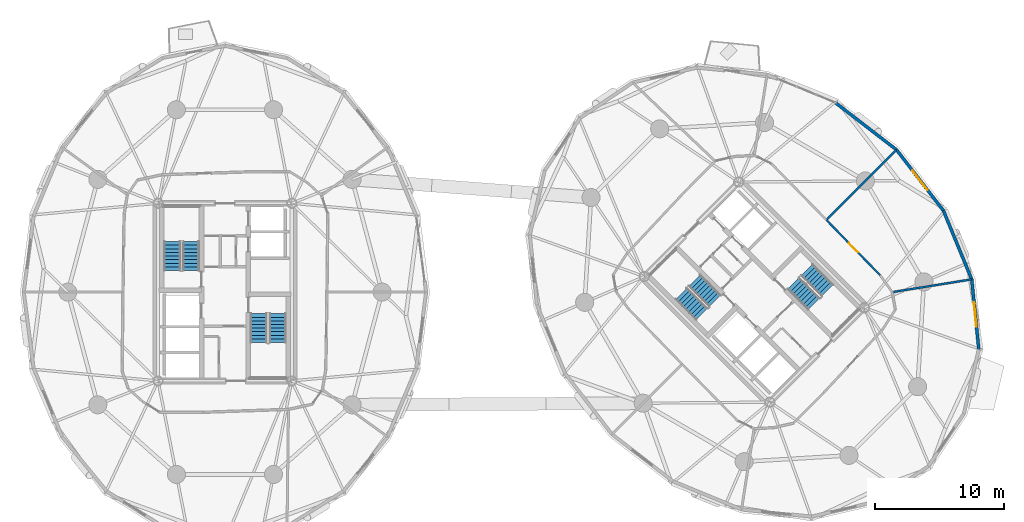
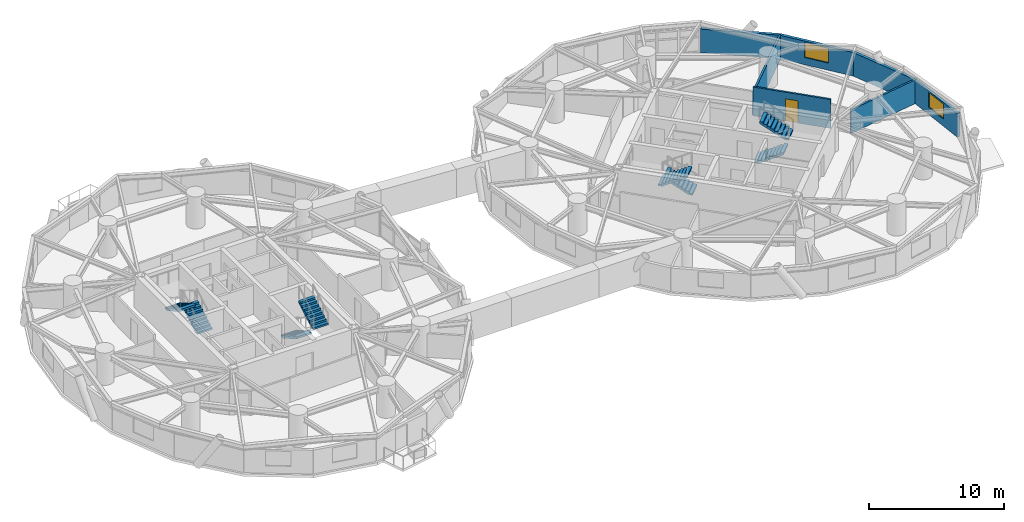
# One storey, part 15 of 18: 8 stair flights, 7 walls, 2 windows, 1 door, 3 openings, 4 elements without a shape of their own.
"""IFC4 building model written with IfcOpenShell, lengths in metres."""

from ifc_helpers import new_model, si_unit, direction, frame, frame_2d, origin, place, context, subcontext, project, spatial, polyline, rectangle, outline, extrude, source, transform, mapped, material, layer, layer_set, type_object, element, fill, aggregate, save


model = new_model("IFC4")

# Units and contexts
model_context = context("Model", 3, precision=1e-05, world=origin(), true_north=direction((0.0, 1.0)))
body_context = subcontext(model_context, "Body", "Model", "MODEL_VIEW")
ifc_project = project(units=[si_unit("LENGTHUNIT", "METRE"), si_unit("AREAUNIT", "SQUARE_METRE"), si_unit("VOLUMEUNIT", "CUBIC_METRE"), si_unit("PLANEANGLEUNIT", "RADIAN"), si_unit("MASSUNIT", "GRAM", prefix="KILO")], contexts=[model_context])

# Site, building, storey
site_placement = place(None, origin())
site = spatial("IfcSite", under=ifc_project, at=site_placement, CompositionType="ELEMENT")
building_placement = place(site_placement, origin())
building = spatial("IfcBuilding", under=site, at=building_placement, Name="Cununo Teusaquillo Station Towers", CompositionType="ELEMENT")
storey_placement = place(building_placement, frame((0.0, 0.0, 122.530029296875)))
storey = spatial("IfcBuildingStorey", under=building, at=storey_placement, Name="L39", CompositionType="ELEMENT", Elevation=122.530029296875)

# Wall
ifc_material_1 = material(Name="Precast concrete C40/50", Category="concrete")
ifc_layer_1 = layer(ifc_material_1, 0.239990234375)
ifc_layer_set_1 = layer_set([ifc_layer_1], Name="Precast concrete C40/50")
wall_type_1 = type_object("IfcWallType", Name="WL-EXT-240", PredefinedType="SOLIDWALL", material=ifc_layer_set_1)
wall_1_placement = place(storey_placement, frame((63.811279296875, 39.145263671875, 0.0), z_axis=(0.0, 0.0, 1.0), x_axis=(0.791982052206, -0.61054437102, 0.0)))
element("IfcWall", 1, at=wall_1_placement, inside=storey, type_object=wall_type_1, Name="L39 Tower B Exterior Facade Wall C00", PredefinedType="SOLIDWALL", context=body_context, shape_type="SweptSolid", body=[
    extrude(rectangle(XDim=5.942138671875, YDim=0.239990234375, at=frame_2d((2.97119140625, 0.0))), origin(), (0.0, 0.0, 1.0), 2.138916015625),
])

# Wall, opening, window
wall_2_placement = place(storey_placement, frame((74.33935546875, 25.4873046875, 0.0), z_axis=(0.0, 0.0, 1.0), x_axis=(0.10015591906, -0.994971754311, 0.0)))
wall_2 = element("IfcWall", 2, at=wall_2_placement, inside=storey, type_object=wall_type_1, Name="L39 Tower B Exterior Facade Wall C17", PredefinedType="SOLIDWALL", context=body_context, shape_type="SweptSolid", body=[
    extrude(rectangle(XDim=5.447998046875, YDim=0.239990234375, at=frame_2d((2.72412109375, 0.0))), origin(), (0.0, 0.0, 1.0), 2.138916015625),
])
shared_shape_1 = source(origin(), body_context, "Body", "SweptSolid", [
    extrude(rectangle(XDim=1.89990234375, YDim=1.35009765625, at=frame_2d((0.949951171875, 0.675048828125))), frame((0.0, 0.1298828125, 0.0), z_axis=(0.0, -1.0, 0.0), x_axis=(1.0, 0.0, 0.0)), (0.0, 0.0, 1.0), 0.260009765625),
])
opening_1_placement = place(wall_2_placement, frame((1.77392578125, 0.0, 0.64990234375)))
opening_1 = element("IfcOpeningElement", 3, at=opening_1_placement, cuts=wall_2, Name="Opening WN-02", PredefinedType="OPENING", context=body_context, shape_type="MappedRepresentation", body=[
    mapped(shared_shape_1, transform((0.0, 0.0, 0.0), x_axis=(1.0, 0.0, 0.0), y_axis=(0.0, 1.0, 0.0), z_axis=(0.0, 0.0, 1.0), scale=1.0)),
])
ifc_material_2 = material(Name="Operable acoustic tinted low-E double glazing", Category="glass")
window_type = type_object("IfcWindowType", Name="WIN-OPER-1900", PartitioningType="DOUBLE_PANEL_VERTICAL", PredefinedType="WINDOW", material=ifc_material_2)
shared_shape_2 = source(origin(), body_context, "Body", "SweptSolid", [
    extrude(rectangle(XDim=1.89990234375, YDim=1.35009765625, at=frame_2d((0.949951171875, 0.675048828125))), frame((0.0, 0.030029296875, 0.0), z_axis=(0.0, -1.0, 0.0), x_axis=(1.0, 0.0, 0.0)), (0.0, 0.0, 1.0), 0.06005859375),
])
window_1_placement = place(opening_1_placement, origin())
window_1 = element("IfcWindow", 4, at=window_1_placement, inside=storey, type_object=window_type, Name="L39 Tower B Facade Window C17", OverallHeight=1.35009765625, OverallWidth=1.89990234375, PartitioningType="DOUBLE_PANEL_VERTICAL", PredefinedType="WINDOW", context=body_context, shape_type="MappedRepresentation", body=[
    mapped(shared_shape_2, transform((0.0, 0.0, 0.0), x_axis=(1.0, 0.0, 0.0), y_axis=(0.0, 1.0, 0.0), z_axis=(0.0, 0.0, 1.0), scale=1.0)),
])
fill(opening_1, window_1)

# Wall
wall_3_placement = place(storey_placement, frame((72.145263671875, 30.811279296875, 0.0), z_axis=(0.0, 0.0, 1.0), x_axis=(0.381027003055, -0.924563909604, 0.0)))
element("IfcWall", 5, at=wall_3_placement, inside=storey, type_object=wall_type_1, Name="L39 Tower B Exterior Facade Wall C18", PredefinedType="SOLIDWALL", context=body_context, shape_type="SweptSolid", body=[
    extrude(rectangle(XDim=5.75830078125, YDim=0.239990234375, at=frame_2d((2.879150390625, 0.0))), origin(), (0.0, 0.0, 1.0), 2.138916015625),
])

# Wall, opening, window
wall_4_placement = place(storey_placement, frame((68.517333984375, 35.517333984375, 0.0), z_axis=(0.0, 0.0, 1.0), x_axis=(0.61054437102, -0.791982052206, 0.0)))
wall_4 = element("IfcWall", 6, at=wall_4_placement, inside=storey, type_object=wall_type_1, Name="L39 Tower B Exterior Facade Wall C19", PredefinedType="SOLIDWALL", context=body_context, shape_type="SweptSolid", body=[
    extrude(rectangle(XDim=5.942138671875, YDim=0.239990234375, at=frame_2d((2.97119140625, 0.0))), origin(), (0.0, 0.0, 1.0), 2.138916015625),
])
opening_2_placement = place(wall_4_placement, frame((2.02099609375, 0.0, 0.64990234375)))
opening_2 = element("IfcOpeningElement", 7, at=opening_2_placement, cuts=wall_4, Name="Opening WN-02", PredefinedType="OPENING", context=body_context, shape_type="MappedRepresentation", body=[
    mapped(shared_shape_1, transform((0.0, 0.0, 0.0), x_axis=(1.0, 0.0, 0.0), y_axis=(0.0, 1.0, 0.0), z_axis=(0.0, 0.0, 1.0), scale=1.0)),
])
window_2_placement = place(opening_2_placement, origin())
window_2 = element("IfcWindow", 8, at=window_2_placement, inside=storey, type_object=window_type, Name="L39 Tower B Facade Window C19", OverallHeight=1.35009765625, OverallWidth=1.89990234375, PartitioningType="DOUBLE_PANEL_VERTICAL", PredefinedType="WINDOW", context=body_context, shape_type="MappedRepresentation", body=[
    mapped(shared_shape_2, transform((0.0, 0.0, 0.0), x_axis=(1.0, 0.0, 0.0), y_axis=(0.0, 1.0, 0.0), z_axis=(0.0, 0.0, 1.0), scale=1.0)),
])
fill(opening_2, window_2)

# Wall, opening, door
ifc_material_3 = material(Name="Fire-rated gypsum plasterboard partition assembly", Category="gypsum")
ifc_layer_2 = layer(ifc_material_3, 0.14990234375)
ifc_layer_set_2 = layer_set([ifc_layer_2], Name="Fire-rated gypsum plasterboard partition assembly")
wall_type_2 = type_object("IfcWallType", Name="WL-PART-150", PredefinedType="PARTITIONING", material=ifc_layer_set_2)
wall_5_placement = place(storey_placement, frame((67.247314453125, 25.802490234375, 0.0), z_axis=(0.0, 0.0, 1.0), x_axis=(-0.696771261687, 0.71729339108, 0.0)))
wall_5 = element("IfcWall", 9, at=wall_5_placement, inside=storey, type_object=wall_type_2, Name="L39 Tower B Corridor Ring Wall C19", PredefinedType="PARTITIONING", context=body_context, shape_type="SweptSolid", body=[
    extrude(rectangle(XDim=5.971923828125, YDim=0.14990234375, at=frame_2d((2.98583984375, 0.0))), origin(), (0.0, 0.0, 1.0), 2.614990234375),
])
shared_shape_3 = source(origin(), body_context, "Body", "SweptSolid", [
    extrude(rectangle(XDim=1.0, YDim=2.014892578125, at=frame_2d((0.5, 1.00732421875))), frame((0.0, 0.0849609375, 0.0), z_axis=(0.0, -1.0, 0.0), x_axis=(1.0, 0.0, 0.0)), (0.0, 0.0, 1.0), 0.169921875),
])
opening_3_placement = place(wall_5_placement, frame((2.486083984375, 0.0, 0.0)))
opening_3 = element("IfcOpeningElement", 10, at=opening_3_placement, cuts=wall_5, Name="Opening D-AC1", PredefinedType="OPENING", context=body_context, shape_type="MappedRepresentation", body=[
    mapped(shared_shape_3, transform((0.0, 0.0, 0.0), x_axis=(1.0, 0.0, 0.0), y_axis=(0.0, 1.0, 0.0), z_axis=(0.0, 0.0, 1.0), scale=1.0)),
])
ifc_material_4 = material(Name="Acoustic solid-core hardwood leaf assembly", Category="wood")
door_type = type_object("IfcDoorType", Name="DR-ACC-1000", OperationType="NOTDEFINED", PredefinedType="DOOR", material=ifc_material_4)
shared_shape_4 = source(origin(), body_context, "Body", "SweptSolid", [
    extrude(rectangle(XDim=1.0, YDim=2.014892578125, at=frame_2d((0.5, 1.00732421875))), frame((0.0, 0.02490234375, 0.0), z_axis=(0.0, -1.0, 0.0), x_axis=(1.0, 0.0, 0.0)), (0.0, 0.0, 1.0), 0.050048828125),
])
door_placement = place(opening_3_placement, origin())
door = element("IfcDoor", 11, at=door_placement, inside=storey, type_object=door_type, Name="L39 Tower B Public Accessible Restroom WC Entrance Door", OperationType="SINGLE_SWING_RIGHT", OverallHeight=2.014892578125, OverallWidth=1.0, PredefinedType="DOOR", context=body_context, shape_type="MappedRepresentation", body=[
    mapped(shared_shape_4, transform((0.0, 0.0, 0.0), x_axis=(1.0, 0.0, 0.0), y_axis=(0.0, 1.0, 0.0), z_axis=(0.0, 0.0, 1.0), scale=1.0)),
])
fill(opening_3, door)

# Walls
ifc_material_5 = material(Name="Fire-rated gypsum plasterboard partition assembly", Category="gypsum")
ifc_layer_3 = layer(ifc_material_5, 0.159912109375)
ifc_layer_set_3 = layer_set([ifc_layer_3], Name="Fire-rated gypsum plasterboard partition assembly")
wall_type_3 = type_object("IfcWallType", Name="WL-PART-160", PredefinedType="PARTITIONING", material=ifc_layer_set_3)
wall_6_placement = place(storey_placement, frame((63.086181640625, 30.086181640625, 0.0), z_axis=(0.0, 0.0, 1.0), x_axis=(0.707106781187, 0.707106781187, 0.0)))
element("IfcWall", 12, at=wall_6_placement, inside=storey, type_object=wall_type_3, Name="L39 Tower B Radial Suite Partition R01", PredefinedType="PARTITIONING", context=body_context, shape_type="SweptSolid", body=[
    extrude(rectangle(XDim=7.6611328125, YDim=0.159912109375, at=frame_2d((3.83056640625, 0.0))), origin(), (0.0, 0.0, 1.0), 2.138916015625),
])
wall_7_placement = place(storey_placement, frame((68.182373046875, 24.497802734375, 0.0), z_axis=(0.0, 0.0, 1.0), x_axis=(0.987330591038, 0.158676727973, 0.0)))
element("IfcWall", 13, at=wall_7_placement, inside=storey, type_object=wall_type_3, Name="L39 Tower B Radial Suite Partition R06", PredefinedType="PARTITIONING", context=body_context, shape_type="SweptSolid", body=[
    extrude(rectangle(XDim=6.216064453125, YDim=0.159912109375, at=frame_2d((3.10791015625, 0.0))), origin(), (0.0, 0.0, 1.0), 2.138916015625),
])

# Stair, stair flights
ifc_material_6 = material(Name="Concrete C50/60", Category="concrete")
stair_type = type_object("IfcStairType", Name="ST-TWR-1300", PredefinedType="HALF_TURN_STAIR", material=ifc_material_6)
stair_1_placement = place(storey_placement, origin())
stair_1 = element("IfcStair", 14, at=stair_1_placement, inside=storey, type_object=stair_type, Name="L39 Tower A Protected Core Exit Stair 1", PredefinedType="HALF_TURN_STAIR")
ifc_material_7 = material(Name="Concrete C50/60", Category="concrete")
stair_flight_type = type_object("IfcStairFlightType", Name="SFL-TWR-1300", PredefinedType="STRAIGHT", material=ifc_material_7)
stair_flight_1_placement = place(storey_placement, frame((13.8701171875, 26.169921875, 0.0), z_axis=(0.0, 0.0, 1.0), x_axis=(0.0, 1.0, 0.0)))
stair_flight_1 = element("IfcStairFlight", 15, at=stair_flight_1_placement, type_object=stair_flight_type, Name="ST-T1-1 flight 1", NumberOfRisers=9, NumberOfTreads=8, PredefinedType="STRAIGHT", RiserHeight=0.161666667, TreadLength=0.28, context=body_context, shape_type="SweptSolid", body=[
    extrude(outline(polyline([(0.0, 0.0), (0.0, 0.16162109375), (0.280029296875, 0.16162109375), (0.280029296875, 0.3232421875), (0.56005859375, 0.3232421875), (0.56005859375, 0.485107421875), (0.840087890625, 0.485107421875), (0.840087890625, 0.646728515625), (1.1201171875, 0.646728515625), (1.1201171875, 0.808349609375), (1.39990234375, 0.808349609375), (1.39990234375, 0.969970703125), (1.679931640625, 0.969970703125), (1.679931640625, 1.131591796875), (1.9599609375, 1.131591796875), (1.9599609375, 1.293212890625), (2.239990234375, 1.293212890625), (2.239990234375, 1.455078125), (2.239990234375, 1.1201171875), (0.2998046875, 0.0), (0.0, 0.0)])), frame((0.0, 0.64990234375, 0.0), z_axis=(0.0, -1.0, 0.0), x_axis=(1.0, 0.0, 0.0)), (0.0, 0.0, 1.0), 1.300048828125),
])
stair_flight_2_placement = place(storey_placement, frame((12.409912109375, 28.409912109375, 1.455078125), z_axis=(0.0, 0.0, 1.0), x_axis=(0.0, -1.0, 0.0)))
stair_flight_2 = element("IfcStairFlight", 16, at=stair_flight_2_placement, type_object=stair_flight_type, Name="ST-T1-1 flight 2", NumberOfRisers=9, NumberOfTreads=8, PredefinedType="STRAIGHT", RiserHeight=0.161666667, TreadLength=0.28, context=body_context, shape_type="SweptSolid", body=[
    extrude(outline(polyline([(0.0, 0.0), (0.0, 0.16162109375), (0.280029296875, 0.16162109375), (0.280029296875, 0.3232421875), (0.56005859375, 0.3232421875), (0.56005859375, 0.485107421875), (0.840087890625, 0.485107421875), (0.840087890625, 0.646728515625), (1.1201171875, 0.646728515625), (1.1201171875, 0.808349609375), (1.39990234375, 0.808349609375), (1.39990234375, 0.969970703125), (1.679931640625, 0.969970703125), (1.679931640625, 1.131591796875), (1.9599609375, 1.131591796875), (1.9599609375, 1.293212890625), (2.239990234375, 1.293212890625), (2.239990234375, 1.455078125), (2.239990234375, 1.1201171875), (0.2998046875, 0.0), (0.0, 0.0)])), frame((0.0, 0.64990234375, 0.0), z_axis=(0.0, -1.0, 0.0), x_axis=(1.0, 0.0, 0.0)), (0.0, 0.0, 1.0), 1.300048828125),
])
aggregate(stair_1, [stair_flight_1, stair_flight_2])

stair_2_placement = place(storey_placement, origin())
stair_2 = element("IfcStair", 17, at=stair_2_placement, inside=storey, type_object=stair_type, Name="L39 Tower A Protected Core Exit Stair 2", PredefinedType="HALF_TURN_STAIR")
stair_flight_3_placement = place(storey_placement, frame((19.1298828125, 22.830078125, 0.0), z_axis=(0.0, 0.0, 1.0), x_axis=(0.0, -1.0, 0.0)))
stair_flight_3 = element("IfcStairFlight", 18, at=stair_flight_3_placement, type_object=stair_flight_type, Name="ST-T1-2 flight 1", NumberOfRisers=9, NumberOfTreads=8, PredefinedType="STRAIGHT", RiserHeight=0.161666667, TreadLength=0.28, context=body_context, shape_type="SweptSolid", body=[
    extrude(outline(polyline([(0.0, 0.0), (0.0, 0.16162109375), (0.280029296875, 0.16162109375), (0.280029296875, 0.3232421875), (0.56005859375, 0.3232421875), (0.56005859375, 0.485107421875), (0.840087890625, 0.485107421875), (0.840087890625, 0.646728515625), (1.1201171875, 0.646728515625), (1.1201171875, 0.808349609375), (1.39990234375, 0.808349609375), (1.39990234375, 0.969970703125), (1.679931640625, 0.969970703125), (1.679931640625, 1.131591796875), (1.9599609375, 1.131591796875), (1.9599609375, 1.293212890625), (2.239990234375, 1.293212890625), (2.239990234375, 1.455078125), (2.239990234375, 1.1201171875), (0.2998046875, 0.0), (0.0, 0.0)])), frame((0.0, 0.64990234375, 0.0), z_axis=(0.0, -1.0, 0.0), x_axis=(1.0, 0.0, 0.0)), (0.0, 0.0, 1.0), 1.300048828125),
])
stair_flight_4_placement = place(storey_placement, frame((20.590087890625, 20.590087890625, 1.455078125), z_axis=(0.0, 0.0, 1.0), x_axis=(0.0, 1.0, 0.0)))
stair_flight_4 = element("IfcStairFlight", 19, at=stair_flight_4_placement, type_object=stair_flight_type, Name="ST-T1-2 flight 2", NumberOfRisers=9, NumberOfTreads=8, PredefinedType="STRAIGHT", RiserHeight=0.161666667, TreadLength=0.28, context=body_context, shape_type="SweptSolid", body=[
    extrude(outline(polyline([(0.0, 0.0), (0.0, 0.16162109375), (0.280029296875, 0.16162109375), (0.280029296875, 0.3232421875), (0.56005859375, 0.3232421875), (0.56005859375, 0.485107421875), (0.840087890625, 0.485107421875), (0.840087890625, 0.646728515625), (1.1201171875, 0.646728515625), (1.1201171875, 0.808349609375), (1.39990234375, 0.808349609375), (1.39990234375, 0.969970703125), (1.679931640625, 0.969970703125), (1.679931640625, 1.131591796875), (1.9599609375, 1.131591796875), (1.9599609375, 1.293212890625), (2.239990234375, 1.293212890625), (2.239990234375, 1.455078125), (2.239990234375, 1.1201171875), (0.2998046875, 0.0), (0.0, 0.0)])), frame((0.0, 0.64990234375, 0.0), z_axis=(0.0, -1.0, 0.0), x_axis=(1.0, 0.0, 0.0)), (0.0, 0.0, 1.0), 1.300048828125),
])
aggregate(stair_2, [stair_flight_3, stair_flight_4])

stair_3_placement = place(storey_placement, origin())
stair_3 = element("IfcStair", 20, at=stair_3_placement, inside=storey, type_object=stair_type, Name="L39 Tower B Protected Core Exit Stair 1", PredefinedType="HALF_TURN_STAIR")
stair_flight_5_placement = place(storey_placement, frame((54.45947265625, 23.8212890625, 0.0), z_axis=(0.0, 0.0, 1.0), x_axis=(-0.707106781187, 0.707106781187, 0.0)))
stair_flight_5 = element("IfcStairFlight", 21, at=stair_flight_5_placement, type_object=stair_flight_type, Name="ST-T2-1 flight 1", NumberOfRisers=9, NumberOfTreads=8, PredefinedType="STRAIGHT", RiserHeight=0.161666667, TreadLength=0.28, context=body_context, shape_type="SweptSolid", body=[
    extrude(outline(polyline([(0.0, 0.0), (0.0, 0.16162109375), (0.280029296875, 0.16162109375), (0.280029296875, 0.3232421875), (0.56005859375, 0.3232421875), (0.56005859375, 0.485107421875), (0.840087890625, 0.485107421875), (0.840087890625, 0.646728515625), (1.1201171875, 0.646728515625), (1.1201171875, 0.808349609375), (1.39990234375, 0.808349609375), (1.39990234375, 0.969970703125), (1.679931640625, 0.969970703125), (1.679931640625, 1.131591796875), (1.9599609375, 1.131591796875), (1.9599609375, 1.293212890625), (2.239990234375, 1.293212890625), (2.239990234375, 1.455078125), (2.239990234375, 1.1201171875), (0.2998046875, 0.0), (0.0, 0.0)])), frame((0.0, 0.64990234375, 0.0), z_axis=(0.0, -1.0, 0.0), x_axis=(1.0, 0.0, 0.0)), (0.0, 0.0, 1.0), 1.300048828125),
])
stair_flight_6_placement = place(storey_placement, frame((51.84326171875, 24.372802734375, 1.455078125), z_axis=(0.0, 0.0, 1.0), x_axis=(0.707106781187, -0.707106781187, 0.0)))
stair_flight_6 = element("IfcStairFlight", 22, at=stair_flight_6_placement, type_object=stair_flight_type, Name="ST-T2-1 flight 2", NumberOfRisers=9, NumberOfTreads=8, PredefinedType="STRAIGHT", RiserHeight=0.161666667, TreadLength=0.28, context=body_context, shape_type="SweptSolid", body=[
    extrude(outline(polyline([(0.0, 0.0), (0.0, 0.16162109375), (0.280029296875, 0.16162109375), (0.280029296875, 0.3232421875), (0.56005859375, 0.3232421875), (0.56005859375, 0.485107421875), (0.840087890625, 0.485107421875), (0.840087890625, 0.646728515625), (1.1201171875, 0.646728515625), (1.1201171875, 0.808349609375), (1.39990234375, 0.808349609375), (1.39990234375, 0.969970703125), (1.679931640625, 0.969970703125), (1.679931640625, 1.131591796875), (1.9599609375, 1.131591796875), (1.9599609375, 1.293212890625), (2.239990234375, 1.293212890625), (2.239990234375, 1.455078125), (2.239990234375, 1.1201171875), (0.2998046875, 0.0), (0.0, 0.0)])), frame((0.0, 0.64990234375, 0.0), z_axis=(0.0, -1.0, 0.0), x_axis=(1.0, 0.0, 0.0)), (0.0, 0.0, 1.0), 1.300048828125),
])
aggregate(stair_3, [stair_flight_5, stair_flight_6])

stair_4_placement = place(storey_placement, origin())
stair_4 = element("IfcStair", 23, at=stair_4_placement, inside=storey, type_object=stair_type, Name="L39 Tower B Protected Core Exit Stair 2", PredefinedType="HALF_TURN_STAIR")
stair_flight_7_placement = place(storey_placement, frame((60.54052734375, 25.1787109375, 0.0), z_axis=(0.0, 0.0, 1.0), x_axis=(0.707106781187, -0.707106781187, 0.0)))
stair_flight_7 = element("IfcStairFlight", 24, at=stair_flight_7_placement, type_object=stair_flight_type, Name="ST-T2-2 flight 1", NumberOfRisers=9, NumberOfTreads=8, PredefinedType="STRAIGHT", RiserHeight=0.161666667, TreadLength=0.28, context=body_context, shape_type="SweptSolid", body=[
    extrude(outline(polyline([(0.0, 0.0), (0.0, 0.16162109375), (0.280029296875, 0.16162109375), (0.280029296875, 0.3232421875), (0.56005859375, 0.3232421875), (0.56005859375, 0.485107421875), (0.840087890625, 0.485107421875), (0.840087890625, 0.646728515625), (1.1201171875, 0.646728515625), (1.1201171875, 0.808349609375), (1.39990234375, 0.808349609375), (1.39990234375, 0.969970703125), (1.679931640625, 0.969970703125), (1.679931640625, 1.131591796875), (1.9599609375, 1.131591796875), (1.9599609375, 1.293212890625), (2.239990234375, 1.293212890625), (2.239990234375, 1.455078125), (2.239990234375, 1.1201171875), (0.2998046875, 0.0), (0.0, 0.0)])), frame((0.0, 0.64990234375, 0.0), z_axis=(0.0, -1.0, 0.0), x_axis=(1.0, 0.0, 0.0)), (0.0, 0.0, 1.0), 1.300048828125),
])
stair_flight_8_placement = place(storey_placement, frame((63.15673828125, 24.627197265625, 1.455078125), z_axis=(0.0, 0.0, 1.0), x_axis=(-0.707106781187, 0.707106781187, 0.0)))
stair_flight_8 = element("IfcStairFlight", 25, at=stair_flight_8_placement, type_object=stair_flight_type, Name="ST-T2-2 flight 2", NumberOfRisers=9, NumberOfTreads=8, PredefinedType="STRAIGHT", RiserHeight=0.161666667, TreadLength=0.28, context=body_context, shape_type="SweptSolid", body=[
    extrude(outline(polyline([(0.0, 0.0), (0.0, 0.16162109375), (0.280029296875, 0.16162109375), (0.280029296875, 0.3232421875), (0.56005859375, 0.3232421875), (0.56005859375, 0.485107421875), (0.840087890625, 0.485107421875), (0.840087890625, 0.646728515625), (1.1201171875, 0.646728515625), (1.1201171875, 0.808349609375), (1.39990234375, 0.808349609375), (1.39990234375, 0.969970703125), (1.679931640625, 0.969970703125), (1.679931640625, 1.131591796875), (1.9599609375, 1.131591796875), (1.9599609375, 1.293212890625), (2.239990234375, 1.293212890625), (2.239990234375, 1.455078125), (2.239990234375, 1.1201171875), (0.2998046875, 0.0), (0.0, 0.0)])), frame((0.0, 0.64990234375, 0.0), z_axis=(0.0, -1.0, 0.0), x_axis=(1.0, 0.0, 0.0)), (0.0, 0.0, 1.0), 1.300048828125),
])
aggregate(stair_4, [stair_flight_7, stair_flight_8])

save(model, "model.ifc")
